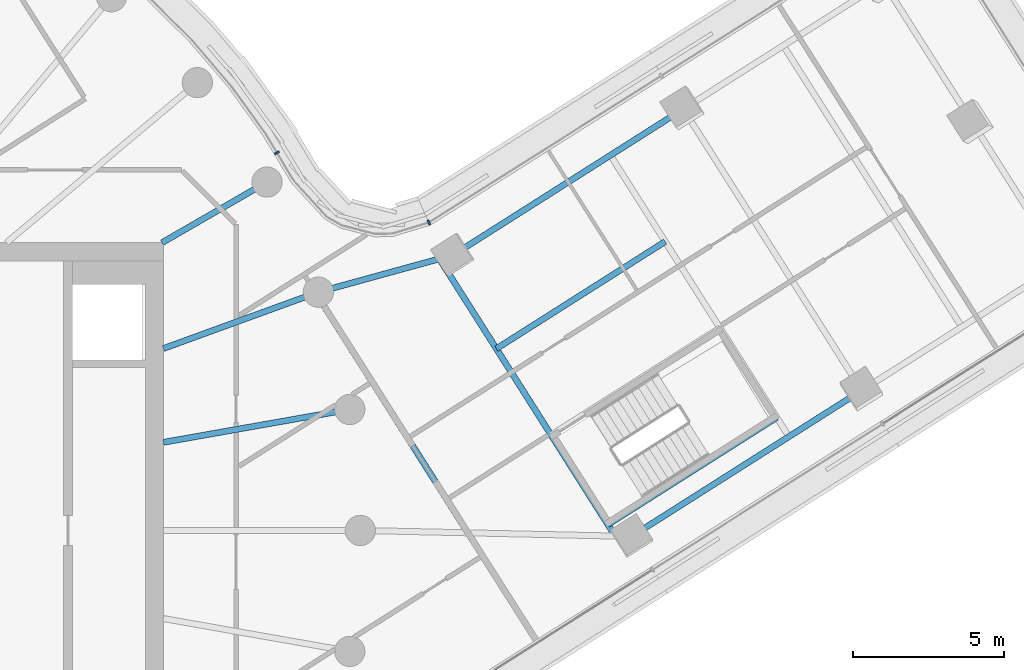
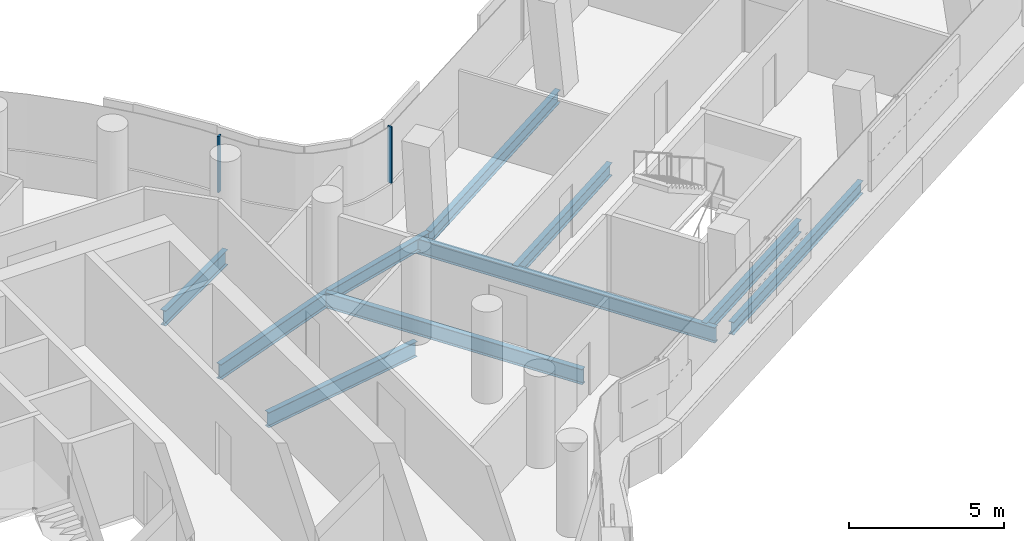
# One storey, part 13 of 36: 10 beams, 2 members, 1 element without a shape of its own.
"""IFC4 building model written with IfcOpenShell, lengths in metres."""

from ifc_helpers import new_model, si_unit, direction, frame, origin, origin_2d, place, context, subcontext, project, spatial, rectangle, i_section, extrude, material, layer, layer_set, material_profile, profile_set, type_object, element, aggregate, save


model = new_model("IFC4")

# Units and contexts
model_context = context("Model", 3, precision=1e-05, world=origin(), true_north=direction((0.0, 1.0)))
body_context = subcontext(model_context, "Body", "Model", "MODEL_VIEW")
ifc_project = project(units=[si_unit("LENGTHUNIT", "METRE"), si_unit("AREAUNIT", "SQUARE_METRE"), si_unit("VOLUMEUNIT", "CUBIC_METRE"), si_unit("PLANEANGLEUNIT", "RADIAN"), si_unit("MASSUNIT", "GRAM", prefix="KILO")], contexts=[model_context])

# Site, building, storey
site_placement = place(None, origin())
site = spatial("IfcSite", under=ifc_project, at=site_placement, CompositionType="ELEMENT")
building_placement = place(site_placement, origin())
building = spatial("IfcBuilding", under=site, at=building_placement, Name="Tamarind Cross Interchange Tower", CompositionType="ELEMENT")
storey_placement = place(building_placement, frame((0.0, 0.0, 151.75)))
storey = spatial("IfcBuildingStorey", under=building, at=storey_placement, Name="L37", CompositionType="ELEMENT", Elevation=151.75)

# Beams
ifc_material_1 = material(Name="Steel Q355B", Category="steel")
ifc_material_profile_1 = material_profile(ifc_material_1, i_section(OverallWidth=0.198974609375, OverallDepth=0.49609375, WebThickness=0.009033203125, FlangeThickness=0.013916015625, FilletRadius=0.012939453125, at=origin_2d()), Name="HN 496x199x9x14")
ifc_profile_set_1 = profile_set([ifc_material_profile_1], Name="Steel Q355B")
beam_type_1 = type_object("IfcBeamType", Name="Composite beam HN 496x199x9x14 Q355B", PredefinedType="BEAM", material=ifc_profile_set_1)
beam_1_placement = place(storey_placement, frame((39.554931640625, 4.62255859375, -0.387939453125), z_axis=(-0.844434661352, -0.535658569153, 0.0), x_axis=(0.535658569153, -0.844434661352, 0.0)))
element("IfcBeam", 1, at=beam_1_placement, inside=storey, type_object=beam_type_1, Name="Beam E-edgeem6", PredefinedType="BEAM", context=body_context, shape_type="SweptSolid", body=[
    extrude(i_section(OverallWidth=0.198974609375, OverallDepth=0.49609375, WebThickness=0.009033203125, FlangeThickness=0.013916015625, FilletRadius=0.012939453125, at=origin_2d()), origin(), (0.0, 0.0, 1.0), 9.000244140625),
])
beam_2_placement = place(storey_placement, frame((33.66259765625, 13.911376953125, -0.387939453125), z_axis=(-0.844426877798, -0.535670839278, 0.0), x_axis=(0.535670839278, -0.844426877798, 0.0)))
element("IfcBeam", 2, at=beam_2_placement, inside=storey, type_object=beam_type_1, Name="Beam E-edgeep3", PredefinedType="BEAM", context=body_context, shape_type="SweptSolid", body=[
    extrude(i_section(OverallWidth=0.198974609375, OverallDepth=0.49609375, WebThickness=0.009033203125, FlangeThickness=0.013916015625, FilletRadius=0.012939453125, at=origin_2d()), origin(), (0.0, 0.0, 1.0), 9.0),
])
beam_3_placement = place(storey_placement, frame((26.062744140625, 9.09033203125, -0.387939453125), z_axis=(-0.964193895448, -0.265198288043, 0.0), x_axis=(0.265198288043, -0.964193895448, 0.0)))
element("IfcBeam", 3, at=beam_3_placement, inside=storey, type_object=beam_type_1, Name="Beam E-linkep", PredefinedType="BEAM", context=body_context, shape_type="SweptSolid", body=[
    extrude(i_section(OverallWidth=0.198974609375, OverallDepth=0.49609375, WebThickness=0.009033203125, FlangeThickness=0.013916015625, FilletRadius=0.012939453125, at=origin_2d()), origin(), (0.0, 0.0, 1.0), 4.614990234375),
])
for number, where, z_axis, x_axis, name in (
    (4, (31.173095703125, 0.19384765625, -0.387939453125), (0.84442981638, 0.535666206895, 0.0), (-0.535666206895, 0.84442981638, 0.0), "Beam E-tr0"),
    (5, (27.490478515625, 5.999267578125, -0.387939453125), (0.84442981638, 0.535666206895, 0.0), (-0.535666206895, 0.84442981638, 0.0), "Beam E-stripp"),
):
    element("IfcBeam", number, at=place(storey_placement, frame(where, z_axis=z_axis, x_axis=x_axis)), inside=storey, type_object=beam_type_1, Name=name, PredefinedType="BEAM", context=body_context, shape_type="SweptSolid", body=[
        extrude(i_section(OverallWidth=0.198974609375, OverallDepth=0.49609375, WebThickness=0.009033203125, FlangeThickness=0.013916015625, FilletRadius=0.012939453125, at=origin_2d()), origin(), (0.0, 0.0, 1.0), 6.60009765625),
    ])
ifc_material_profile_2 = material_profile(ifc_material_1, i_section(OverallWidth=0.198974609375, OverallDepth=0.595947265625, WebThickness=0.010009765625, FlangeThickness=0.014892578125, FilletRadius=0.012939453125, at=origin_2d()), Name="HN 596x199x10x15")
ifc_profile_set_2 = profile_set([ifc_material_profile_2], Name="Steel Q355B")
beam_type_2 = type_object("IfcBeamType", Name="Composite beam HN 596x199x10x15 Q355B", PredefinedType="BEAM", material=ifc_profile_set_2)
beam_4_placement = place(storey_placement, frame((22.650634765625, 3.993896484375, -0.43798828125), z_axis=(-0.984809127561, -0.173640382036, 0.0), x_axis=(0.173640382036, -0.984809127561, 0.0)))
element("IfcBeam", 6, at=beam_4_placement, inside=storey, type_object=beam_type_2, Name="Beam HH01", PredefinedType="BEAM", context=body_context, shape_type="SweptSolid", body=[
    extrude(i_section(OverallWidth=0.198974609375, OverallDepth=0.595947265625, WebThickness=0.010009765625, FlangeThickness=0.014892578125, FilletRadius=0.012939453125, at=origin_2d()), origin(), (0.0, 0.0, 1.0), 6.24560546875),
])
beam_5_placement = place(storey_placement, frame((21.613037109375, 7.866455078125, -0.43798828125), z_axis=(-0.939701685589, -0.341995236956, 0.0), x_axis=(0.341995236956, -0.939701685589, 0.0)))
element("IfcBeam", 7, at=beam_5_placement, inside=storey, type_object=beam_type_2, Name="Beam HH02", PredefinedType="BEAM", context=body_context, shape_type="SweptSolid", body=[
    extrude(i_section(OverallWidth=0.198974609375, OverallDepth=0.595947265625, WebThickness=0.010009765625, FlangeThickness=0.014892578125, FilletRadius=0.012939453125, at=origin_2d()), origin(), (0.0, 0.0, 1.0), 5.441162109375),
])
beam_6_placement = place(storey_placement, frame((19.918701171875, 11.5, -0.43798828125), z_axis=(-0.866026010844, -0.49999894854, 0.0), x_axis=(0.49999894854, -0.866026010844, 0.0)))
element("IfcBeam", 8, at=beam_6_placement, inside=storey, type_object=beam_type_2, Name="Beam HH03", PredefinedType="BEAM", context=body_context, shape_type="SweptSolid", body=[
    extrude(i_section(OverallWidth=0.198974609375, OverallDepth=0.595947265625, WebThickness=0.010009765625, FlangeThickness=0.014892578125, FilletRadius=0.012939453125, at=origin_2d()), origin(), (0.0, 0.0, 1.0), 4.0),
])
ifc_material_profile_3 = material_profile(ifc_material_1, i_section(OverallWidth=0.199951171875, OverallDepth=0.60009765625, WebThickness=0.010986328125, FlangeThickness=0.01708984375, FilletRadius=0.012939453125, at=origin_2d()), Name="HN 600x200x11x17")
ifc_profile_set_3 = profile_set([ifc_material_profile_3], Name="Steel Q355B")
beam_type_3 = type_object("IfcBeamType", Name="Composite beam HN 600x200x11x17 Q355B", PredefinedType="BEAM", material=ifc_profile_set_3)
beam_7_placement = place(storey_placement, frame((31.41455078125, -0.1865234375, -0.43994140625), z_axis=(-0.535666624145, 0.844429551696, 0.0), x_axis=(-0.844429551696, -0.535666624145, 0.0)))
element("IfcBeam", 9, at=beam_7_placement, inside=storey, type_object=beam_type_3, Name="Beam E-x298", PredefinedType="BEAM", context=body_context, shape_type="SweptSolid", body=[
    extrude(i_section(OverallWidth=0.199951171875, OverallDepth=0.60009765625, WebThickness=0.010986328125, FlangeThickness=0.01708984375, FilletRadius=0.012939453125, at=origin_2d()), origin(), (0.0, 0.0, 1.0), 10.838134765625),
])
beam_8_placement = place(storey_placement, frame((26.550048828125, -0.07861328125, -0.43994140625), z_axis=(-0.535674141401, 0.844424783053, 0.0), x_axis=(-0.844424783053, -0.535674141401, 0.0)))
element("IfcBeam", 10, at=beam_8_placement, inside=storey, type_object=beam_type_3, Name="Beam E-x258", PredefinedType="BEAM", context=body_context, shape_type="SweptSolid", body=[
    extrude(i_section(OverallWidth=0.199951171875, OverallDepth=0.60009765625, WebThickness=0.010986328125, FlangeThickness=0.01708984375, FilletRadius=0.012939453125, at=origin_2d()), origin(), (0.0, 0.0, 1.0), 9.353515625),
])

# Curtain wall, members
ifc_material_2 = material(Name="Aluminium 6063-T6", Category="aluminium")
ifc_layer = layer(ifc_material_2, 0.159912109375)
ifc_layer_set = layer_set([ifc_layer], Name="Aluminium 6063-T6")
curtain_wall_type = type_object("IfcCurtainWallType", Name="Office curtain wall, 9.0 m bays", PredefinedType="NOTDEFINED", material=ifc_layer_set)
curtain_wall_placement = place(storey_placement, origin())
curtain_wall = element("IfcCurtainWall", 11, at=curtain_wall_placement, inside=storey, type_object=curtain_wall_type, Name="CWS-L37-14", PredefinedType="NOTDEFINED")
ifc_material_profile_4 = material_profile(ifc_material_2, rectangle(XDim=0.06005859375, YDim=0.159912109375, at=origin_2d()), Name="Mullion CW1")
ifc_profile_set_4 = profile_set([ifc_material_profile_4], Name="Aluminium 6063-T6")
member_type = type_object("IfcMemberType", Name="Mullion CW1", PredefinedType="MULLION", material=ifc_profile_set_4)
member_1_placement = place(storey_placement, frame((25.26318359375, 10.16650390625, 1.39990234375), z_axis=(0.0, 0.0, 1.0), x_axis=(-0.909977417852, -0.414657809524, 0.0)))
member_1 = element("IfcMember", 12, at=member_1_placement, type_object=member_type, Name="CWM-L37-14-00", PredefinedType="MULLION", context=body_context, shape_type="SweptSolid", body=[
    extrude(rectangle(XDim=0.06005859375, YDim=0.159912109375, at=origin_2d()), origin(), (0.0, 0.0, 1.0), 2.210205078125),
])
member_2_placement = place(storey_placement, frame((20.24658203125, 12.466796875, 1.39990234375), z_axis=(0.0, 0.0, 1.0), x_axis=(-0.515900752568, 0.856648360472, 0.0)))
member_2 = element("IfcMember", 13, at=member_2_placement, type_object=member_type, Name="CWM-L37-14-01", PredefinedType="MULLION", context=body_context, shape_type="SweptSolid", body=[
    extrude(rectangle(XDim=0.06005859375, YDim=0.159912109375, at=origin_2d()), origin(), (0.0, 0.0, 1.0), 2.210205078125),
])
aggregate(curtain_wall, [member_1, member_2])

save(model, "model.ifc")
